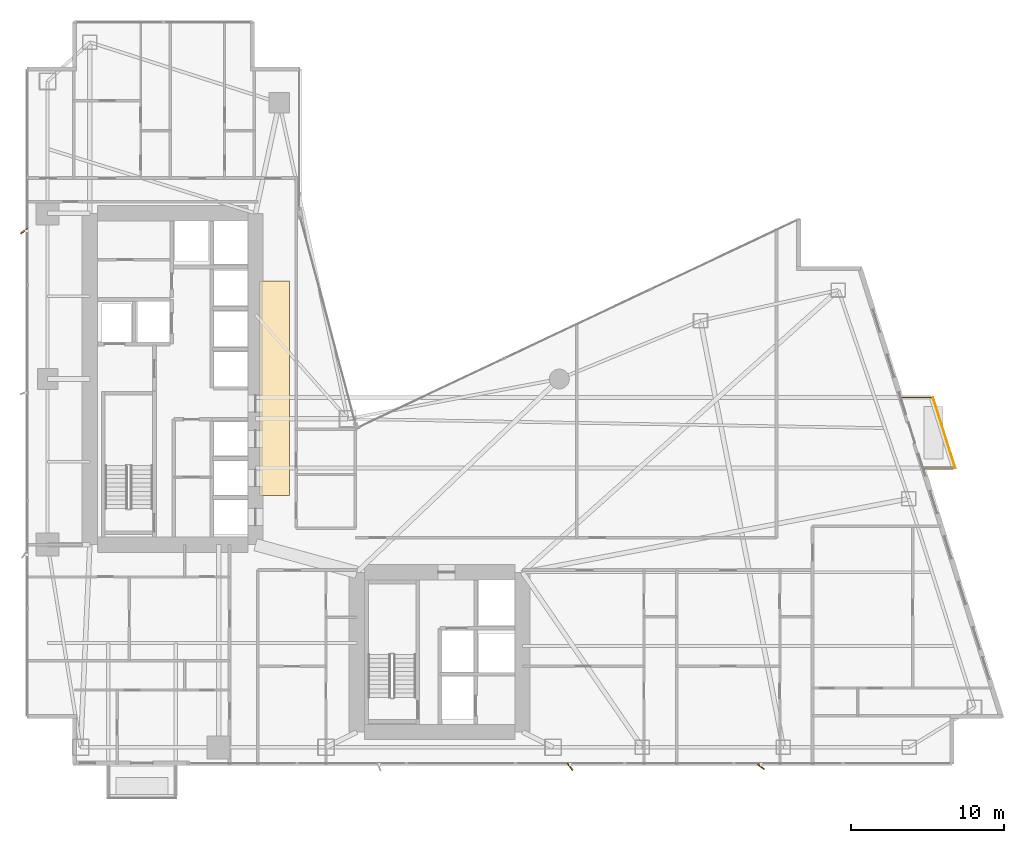
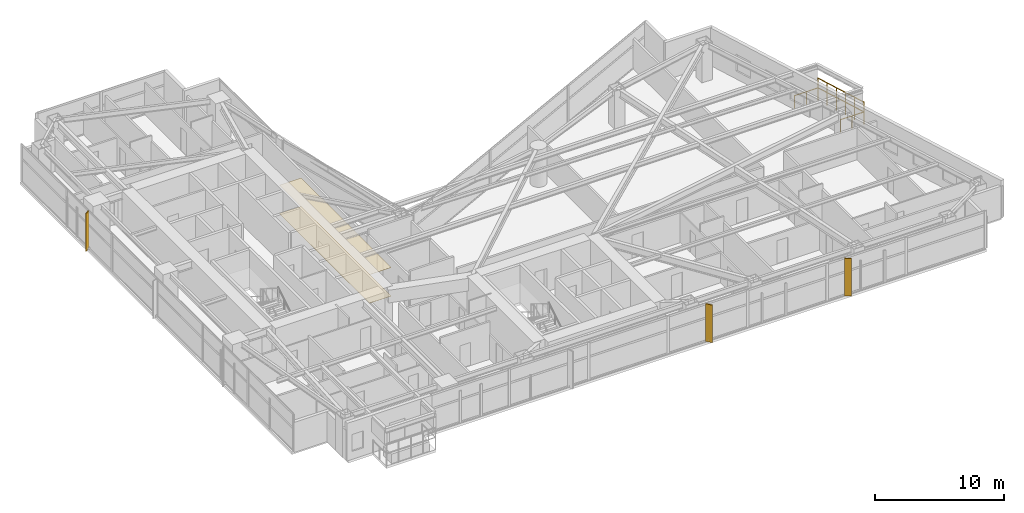
# One storey, part 29 of 29: 3 shading devices, 2 coverings, 2 railings.
"""IFC4 building model written with IfcOpenShell, lengths in metres."""

from ifc_helpers import new_model, si_unit, direction, frame, origin, origin_2d, place, context, subcontext, project, spatial, rectangle, circle, extrude, material, layer, layer_set, type_object, element, save


model = new_model("IFC4")

# Units and contexts
model_context = context("Model", 3, precision=1e-05, world=origin(), true_north=direction((0.0, 1.0)))
body_context = subcontext(model_context, "Body", "Model", "MODEL_VIEW")
ifc_project = project(units=[si_unit("LENGTHUNIT", "METRE"), si_unit("AREAUNIT", "SQUARE_METRE"), si_unit("VOLUMEUNIT", "CUBIC_METRE"), si_unit("PLANEANGLEUNIT", "RADIAN"), si_unit("MASSUNIT", "GRAM", prefix="KILO")], contexts=[model_context])

# Site, building, storey
site_placement = place(None, origin())
site = spatial("IfcSite", under=ifc_project, at=site_placement, CompositionType="ELEMENT")
building_placement = place(site_placement, origin())
building = spatial("IfcBuilding", under=site, at=building_placement, Name="Calvorn Quay Hotel", CompositionType="ELEMENT")
storey_placement = place(building_placement, frame((0.0, 0.0, 66.0)))
storey = spatial("IfcBuildingStorey", under=building, at=storey_placement, Name="L15", CompositionType="ELEMENT", Elevation=66.0)

# Coverings
ifc_material_1 = material(Name="Mineral-Fibre Acoustic Ceiling Tile")
ifc_layer_1 = layer(ifc_material_1, 0.02001953125)
ifc_layer_set_1 = layer_set([ifc_layer_1], Name="COV-CEILING-ACOUSTIC")
covering_type_1 = type_object("IfcCoveringType", Name="COV-CEILING-ACOUSTIC", PredefinedType="CEILING", material=ifc_layer_set_1)
covering_1_placement = place(storey_placement, frame((16.25, 27.0, 2.699951171875), z_axis=(0.0, 0.0, 1.0), x_axis=(1.0, 0.0, 0.0)))
element("IfcCovering", 1, at=covering_1_placement, inside=storey, type_object=covering_type_1, Name="Acoustic Suspended Ceiling (L15)", PredefinedType="CEILING", context=body_context, shape_type="SweptSolid", body=[
    extrude(rectangle(XDim=1.9599609375, YDim=14.0, at=origin_2d()), origin(), (0.0, 0.0, 1.0), 0.02001953125),
])
ifc_material_2 = material(Name="Woven Wool Hospitality Carpet")
ifc_layer_2 = layer(ifc_material_2, 0.02392578125)
ifc_layer_set_2 = layer_set([ifc_layer_2], Name="COV-FLOOR-CARPET")
covering_type_2 = type_object("IfcCoveringType", Name="COV-FLOOR-CARPET", PredefinedType="FLOORING", material=ifc_layer_set_2)
covering_2_placement = place(storey_placement, frame((16.25, 27.0, 0.0), z_axis=(0.0, 0.0, 1.0), x_axis=(1.0, 0.0, 0.0)))
element("IfcCovering", 2, at=covering_2_placement, inside=storey, type_object=covering_type_2, Name="Interior Floor Finish (L15)", PredefinedType="FLOORING", context=body_context, shape_type="SweptSolid", body=[
    extrude(rectangle(XDim=1.9599609375, YDim=14.0, at=origin_2d()), origin(), (0.0, 0.0, 1.0), 0.02392578125),
])

# Railings
ifc_material_3 = material(Name="Pale Anodised Aluminium and Laminated Glass", Category="aluminium")
railing_type = type_object("IfcRailingType", Name="RLG-BALUSTRADE-1200", PredefinedType="BALUSTRADE", material=ifc_material_3)
railing_1_placement = place(storey_placement, frame((58.506103515625, 21.800048828125, 0.0)))
element("IfcRailing", 3, at=railing_1_placement, inside=storey, type_object=railing_type, Name="Tree Balcony Perimeter Balustrade L15-BALC-E", PredefinedType="BALUSTRADE", context=body_context, shape_type="SweptSolid", body=[
    extrude(circle(Radius=0.02392578125, at=origin_2d()), frame((0.0, 0.0, 1.17578125), z_axis=(1.0, 0.0, 0.0), x_axis=(0.0, 1.0, 0.0)), (0.0, 0.0, 1.0), 2.099853515625),
    extrude(circle(Radius=0.02392578125, at=origin_2d()), frame((2.099853515625, 0.0, 1.17578125), z_axis=(-0.300450487966, 0.953797412599, 0.0), x_axis=(-0.953797412599, -0.300450487966, 0.0)), (0.0, 0.0, 1.0), 4.82275390625),
    extrude(circle(Radius=0.02392578125, at=origin_2d()), frame((0.65087890625, 4.599853515625, 1.17578125), z_axis=(-1.0, 0.0, 0.0), x_axis=(0.0, -1.0, 0.0)), (0.0, 0.0, 1.0), 2.10009765625),
    extrude(circle(Radius=0.02099609375, at=origin_2d()), origin(), (0.0, 0.0, 1.0), 1.15185546875),
    extrude(circle(Radius=0.02099609375, at=origin_2d()), frame((1.0498046875, 0.0, 0.0)), (0.0, 0.0, 1.0), 1.15185546875),
    extrude(circle(Radius=0.02099609375, at=origin_2d()), frame((2.099853515625, 0.0, 0.0)), (0.0, 0.0, 1.0), 1.15185546875),
    extrude(circle(Radius=0.02099609375, at=origin_2d()), frame((1.81005859375, 0.919921875, 0.0)), (0.0, 0.0, 1.0), 1.15185546875),
    extrude(circle(Radius=0.02099609375, at=origin_2d()), frame((1.520263671875, 1.83984375, 0.0)), (0.0, 0.0, 1.0), 1.15185546875),
    extrude(circle(Radius=0.02099609375, at=origin_2d()), frame((1.23046875, 2.760009765625, 0.0)), (0.0, 0.0, 1.0), 1.15185546875),
    extrude(circle(Radius=0.02099609375, at=origin_2d()), frame((0.940673828125, 3.679931640625, 0.0)), (0.0, 0.0, 1.0), 1.15185546875),
    extrude(circle(Radius=0.02099609375, at=origin_2d()), frame((0.65087890625, 4.599853515625, 0.0)), (0.0, 0.0, 1.0), 1.15185546875),
    extrude(circle(Radius=0.02099609375, at=origin_2d()), frame((-0.399169921875, 4.599853515625, 0.0)), (0.0, 0.0, 1.0), 1.15185546875),
    extrude(circle(Radius=0.02099609375, at=origin_2d()), frame((-1.44921875, 4.599853515625, 0.0)), (0.0, 0.0, 1.0), 1.15185546875),
])
railing_2_placement = place(storey_placement, frame((60.60595703125, 21.800048828125, 0.89990234375)))
element("IfcRailing", 4, at=railing_2_placement, inside=storey, type_object=railing_type, Name="Planter Kerb High Safety Screen L15-BALC-E", PredefinedType="BALUSTRADE", context=body_context, shape_type="SweptSolid", body=[
    extrude(circle(Radius=0.02392578125, at=origin_2d()), frame((0.0, 0.0, 1.19580078125), z_axis=(-0.300450487966, 0.953797412599, 0.0), x_axis=(-0.953797412599, -0.300450487966, 0.0)), (0.0, 0.0, 1.0), 4.82275390625),
    extrude(circle(Radius=0.02099609375, at=origin_2d()), origin(), (0.0, 0.0, 1.0), 1.171875),
    extrude(circle(Radius=0.02099609375, at=origin_2d()), frame((-0.289794921875, 0.919921875, 0.0)), (0.0, 0.0, 1.0), 1.171875),
    extrude(circle(Radius=0.02099609375, at=origin_2d()), frame((-0.57958984375, 1.83984375, 0.0)), (0.0, 0.0, 1.0), 1.171875),
    extrude(circle(Radius=0.02099609375, at=origin_2d()), frame((-0.869384765625, 2.760009765625, 0.0)), (0.0, 0.0, 1.0), 1.171875),
    extrude(circle(Radius=0.02099609375, at=origin_2d()), frame((-1.1591796875, 3.679931640625, 0.0)), (0.0, 0.0, 1.0), 1.171875),
    extrude(circle(Radius=0.02099609375, at=origin_2d()), frame((-1.448974609375, 4.599853515625, 0.0)), (0.0, 0.0, 1.0), 1.171875),
])

# Shading devices
ifc_material_4 = material(Name="Champagne Bronze Anodised Aluminium 6063-T6", Category="aluminium")
shading_device_type_1 = type_object("IfcShadingDeviceType", Name="SHD-FIN-A2", PredefinedType="USERDEFINED", material=ifc_material_4)
for number, where, z_axis, x_axis, name in (
    (5, (-0.080078125, 37.25, 0.0), (0.0, 0.0, 1.0), (0.788010753607, 0.615661475326, 0.0), "Diagonal Sun-Shading Fin L15-W03"),
    (6, (35.5, 2.320068359375, 0.0), (0.0, 0.0, 1.0), (-0.615661475326, 0.788010753607, 0.0), "Diagonal Sun-Shading Fin L15-S02"),
):
    element("IfcShadingDevice", number, at=place(storey_placement, frame(where, z_axis=z_axis, x_axis=x_axis)), inside=storey, type_object=shading_device_type_1, Name=name, ObjectType="FIN", PredefinedType="USERDEFINED", context=body_context, shape_type="SweptSolid", body=[
        extrude(rectangle(XDim=0.550048828125, YDim=0.080078125, at=origin_2d()), origin(), (0.0, 0.0, 1.0), 3.56005859375),
    ])
ifc_material_5 = material(Name="Champagne Bronze Anodised Aluminium 6063-T6", Category="aluminium")
shading_device_type_2 = type_object("IfcShadingDeviceType", Name="SHD-FIN-A3", PredefinedType="USERDEFINED", material=ifc_material_5)
shading_device_placement = place(storey_placement, frame((47.949951171875, 2.320068359375, 0.0), z_axis=(0.0, 0.0, 1.0), x_axis=(-0.809016994375, 0.587785252292, 0.0)))
element("IfcShadingDevice", 7, at=shading_device_placement, inside=storey, type_object=shading_device_type_2, Name="Diagonal Sun-Shading Fin L15-S03", ObjectType="FIN", PredefinedType="USERDEFINED", context=body_context, shape_type="SweptSolid", body=[
    extrude(rectangle(XDim=0.550048828125, YDim=0.080078125, at=origin_2d()), origin(), (0.0, 0.0, 1.0), 3.56005859375),
])

save(model, "model.ifc")
